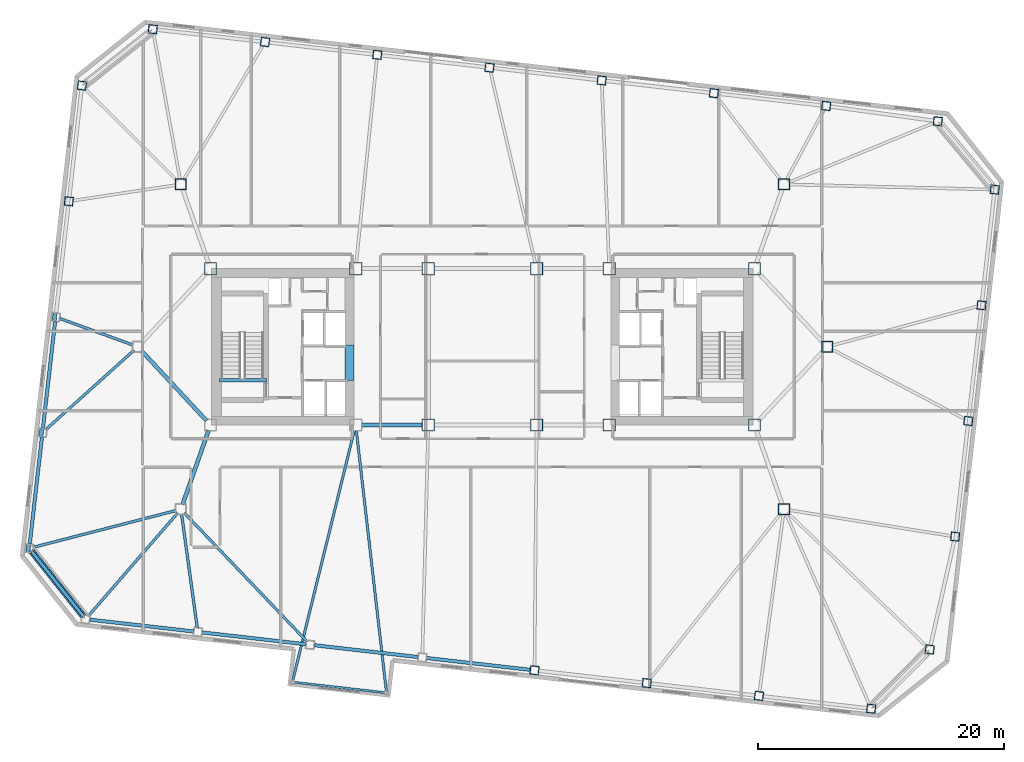
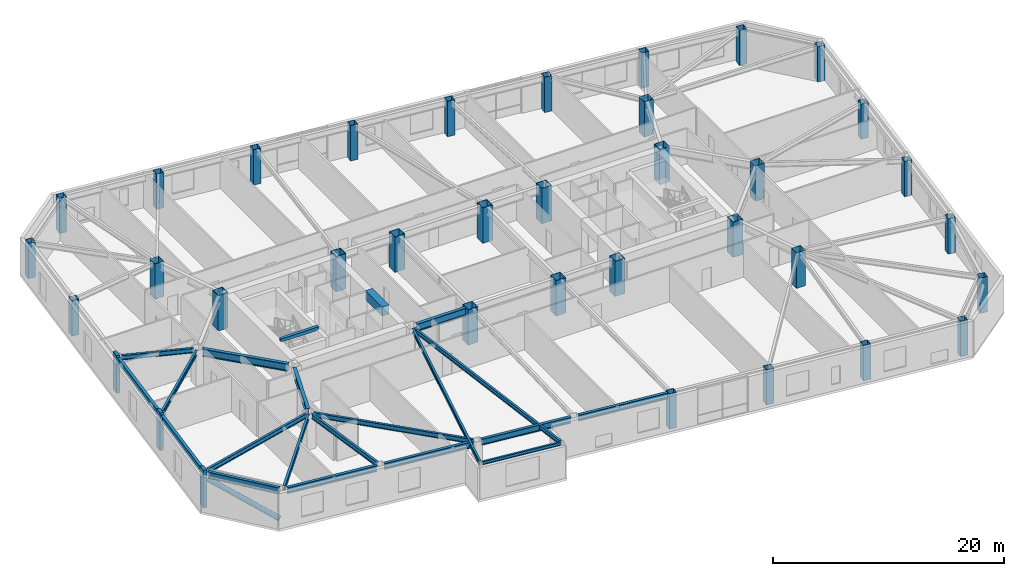
# One storey, part 2 of 19: 33 columns, 21 beams, 4 members.
"""IFC4 building model written with IfcOpenShell, lengths in metres."""

from ifc_helpers import new_model, si_unit, direction, frame, origin, origin_2d, place, context, subcontext, project, spatial, rectangle, hollow_rectangle, hollow_circle, i_section, extrude, material, material_profile, profile_set, type_object, element, save


model = new_model("IFC4")

# Units and contexts
model_context = context("Model", 3, precision=1e-05, world=origin(), true_north=direction((0.0, 1.0)))
body_context = subcontext(model_context, "Body", "Model", "MODEL_VIEW")
ifc_project = project(units=[si_unit("LENGTHUNIT", "METRE"), si_unit("AREAUNIT", "SQUARE_METRE"), si_unit("VOLUMEUNIT", "CUBIC_METRE"), si_unit("PLANEANGLEUNIT", "RADIAN"), si_unit("MASSUNIT", "GRAM", prefix="KILO")], contexts=[model_context])

# Site, building, storey
site_placement = place(None, origin())
site = spatial("IfcSite", under=ifc_project, at=site_placement, CompositionType="ELEMENT")
building_placement = place(site_placement, origin())
building = spatial("IfcBuilding", under=site, at=building_placement, Name="Tavrogorsk Clinical Tower", CompositionType="ELEMENT")
storey_placement = place(building_placement, frame((0.0, 0.0, 101.39990234375)))
storey = spatial("IfcBuildingStorey", under=building, at=storey_placement, Name="L22", CompositionType="ELEMENT", Elevation=101.39990234375)

# Columns
ifc_material_1 = material(Name="Structural steel S440", Category="steel")
ifc_material_profile_1 = material_profile(ifc_material_1, hollow_rectangle(XDim=1.0, YDim=1.0, WallThickness=0.044921875, at=origin_2d()), Name="BOX-1000x1000x45")
ifc_profile_set_1 = profile_set([ifc_material_profile_1], Name="Structural steel S440")
column_type_1 = type_object("IfcColumnType", Name="MegaCol_BOX1000", PredefinedType="COLUMN", material=ifc_profile_set_1)
for number, where, z_axis, x_axis, name in (
    (1, (-22.10009765625, 6.35009765625, 0.0), (0.0, 0.0, 1.0), (1.0, 0.0, 0.0), "L22 Mega Column MC-W2"),
    (2, (-10.300048828125, 6.35009765625, 0.0), (0.0, 0.0, 1.0), (1.0, 0.0, 0.0), "L22 Mega Column MC-W4"),
    (3, (10.300048828125, -6.35009765625, 0.0), (0.0, 0.0, 1.0), (1.0, 0.0, 0.0), "L22 Mega Column MC-E1"),
    (4, (10.300048828125, 6.35009765625, 0.0), (0.0, 0.0, 1.0), (1.0, 0.0, 0.0), "L22 Mega Column MC-E2"),
    (5, (22.10009765625, -6.35009765625, 0.0), (0.0, 0.0, 1.0), (1.0, 0.0, 0.0), "L22 Mega Column MC-E3"),
    (6, (22.10009765625, 6.35009765625, 0.0), (0.0, 0.0, 1.0), (1.0, 0.0, 0.0), "L22 Mega Column MC-E4"),
    (7, (-4.39990234375, -6.35009765625, 0.0), (0.0, 0.0, 1.0), (1.0, 0.0, 0.0), "L22 Mega Column MC-C1"),
    (8, (4.39990234375, -6.35009765625, 0.0), (0.0, 0.0, 1.0), (1.0, 0.0, 0.0), "L22 Mega Column MC-C2"),
    (9, (-4.39990234375, 6.35009765625, 0.0), (0.0, 0.0, 1.0), (1.0, 0.0, 0.0), "L22 Mega Column MC-C3"),
    (10, (4.39990234375, 6.35009765625, 0.0), (0.0, 0.0, 1.0), (1.0, 0.0, 0.0), "L22 Mega Column MC-C4"),
):
    element("IfcColumn", number, at=place(storey_placement, frame(where, z_axis=z_axis, x_axis=x_axis)), inside=storey, type_object=column_type_1, Name=name, PredefinedType="COLUMN", context=body_context, shape_type="SweptSolid", body=[
        extrude(hollow_rectangle(XDim=1.0, YDim=1.0, WallThickness=0.044921875, at=origin_2d()), origin(), (0.0, 0.0, 1.0), 3.739990234375),
    ])
ifc_material_2 = material(Name="Structural steel S440", Category="steel")
ifc_material_profile_2 = material_profile(ifc_material_2, hollow_rectangle(XDim=0.89990234375, YDim=0.89990234375, WallThickness=0.0400390625, at=origin_2d()), Name="BOX-900x900x40")
ifc_profile_set_2 = profile_set([ifc_material_profile_2], Name="Structural steel S440")
column_type_2 = type_object("IfcColumnType", Name="MegaCol_BOX900", PredefinedType="COLUMN", material=ifc_profile_set_2)
for number, where, z_axis, x_axis, name in (
    (11, (24.5, -13.199951171875, 0.0), (0.0, 0.0, 1.0), (1.0, 0.0, 0.0), "L22 Spine Pilotis Column MC-P2"),
    (12, (-24.5, 13.199951171875, 0.0), (0.0, 0.0, 1.0), (1.0, 0.0, 0.0), "L22 Spine Pilotis Column MC-P3"),
    (13, (24.5, 13.199951171875, 0.0), (0.0, 0.0, 1.0), (1.0, 0.0, 0.0), "L22 Spine Pilotis Column MC-P4"),
    (14, (28.0, 0.0, 0.0), (0.0, 0.0, 1.0), (1.0, 0.0, 0.0), "L22 Spine Pilotis Column MC-P6"),
):
    element("IfcColumn", number, at=place(storey_placement, frame(where, z_axis=z_axis, x_axis=x_axis)), inside=storey, type_object=column_type_2, Name=name, PredefinedType="COLUMN", context=body_context, shape_type="SweptSolid", body=[
        extrude(hollow_rectangle(XDim=0.89990234375, YDim=0.89990234375, WallThickness=0.0400390625, at=origin_2d()), origin(), (0.0, 0.0, 1.0), 3.739990234375),
    ])
ifc_material_3 = material(Name="Structural steel S440", Category="steel")
ifc_material_profile_3 = material_profile(ifc_material_3, hollow_rectangle(XDim=0.699951171875, YDim=0.699951171875, WallThickness=0.031982421875, at=origin_2d()), Name="BOX-700x700x32")
ifc_profile_set_3 = profile_set([ifc_material_profile_3], Name="Structural steel S440")
column_type_3 = type_object("IfcColumnType", Name="PerimCol_B2_BOX700", PredefinedType="COLUMN", material=ifc_profile_set_3)
for number, where, z_axis, x_axis, name in (
    (15, (4.228515625, -26.284423828125, 0.0), (0.0, 0.0, 1.0), (0.993571855677, -0.113203213768, 0.0), "L22 Perimeter Column S5"),
    (16, (13.3466796875, -27.3232421875, 0.0), (0.0, 0.0, 1.0), (0.993571855677, -0.113203213768, 0.0), "L22 Perimeter Column S6"),
    (17, (22.465087890625, -28.3623046875, 0.0), (0.0, 0.0, 1.0), (0.993571855677, -0.113203213768, 0.0), "L22 Perimeter Column S7"),
    (18, (31.5830078125, -29.40087890625, 0.0), (0.0, 0.0, 1.0), (0.993571855677, -0.113203213768, 0.0), "L22 Perimeter Column S8"),
    (19, (36.99658203125, 18.323486328125, 0.0), (0.0, 0.0, 1.0), (0.993571855677, -0.113203213768, 0.0), "L22 Perimeter Column N1"),
    (20, (27.92578125, 19.567626953125, 0.0), (0.0, 0.0, 1.0), (0.993571855677, -0.113203213768, 0.0), "L22 Perimeter Column N2"),
    (21, (18.8076171875, 20.606689453125, 0.0), (0.0, 0.0, 1.0), (0.993571855677, -0.113203213768, 0.0), "L22 Perimeter Column N3"),
    (22, (9.689697265625, 21.6455078125, 0.0), (0.0, 0.0, 1.0), (0.993571855677, -0.113203213768, 0.0), "L22 Perimeter Column N4"),
    (23, (0.5712890625, 22.684326171875, 0.0), (0.0, 0.0, 1.0), (0.993571855677, -0.113203213768, 0.0), "L22 Perimeter Column N5"),
    (24, (-8.546875, 23.723388671875, 0.0), (0.0, 0.0, 1.0), (0.993571855677, -0.113203213768, 0.0), "L22 Perimeter Column N6"),
    (25, (-17.6650390625, 24.76220703125, 0.0), (0.0, 0.0, 1.0), (0.993571855677, -0.113203213768, 0.0), "L22 Perimeter Column N7"),
    (26, (-26.783203125, 25.801025390625, 0.0), (0.0, 0.0, 1.0), (0.993571855677, -0.113203213768, 0.0), "L22 Perimeter Column N8"),
    (27, (36.335693359375, -24.591796875, 0.0), (0.0, 0.0, 1.0), (0.993571855677, -0.113203213768, 0.0), "L22 Perimeter Column E1"),
    (28, (38.4091796875, -15.423828125, 0.0), (0.0, 0.0, 1.0), (0.993571855677, -0.113203213768, 0.0), "L22 Perimeter Column E2"),
    (29, (39.47998046875, -6.024658203125, 0.0), (0.0, 0.0, 1.0), (0.993571855677, -0.113203213768, 0.0), "L22 Perimeter Column E3"),
    (30, (40.551025390625, 3.37451171875, 0.0), (0.0, 0.0, 1.0), (0.993571855677, -0.113203213768, 0.0), "L22 Perimeter Column E4"),
    (31, (41.621826171875, 12.773681640625, 0.0), (0.0, 0.0, 1.0), (0.993571855677, -0.113203213768, 0.0), "L22 Perimeter Column E5"),
    (32, (-32.538330078125, 21.22314453125, 0.0), (0.0, 0.0, 1.0), (0.993571855677, -0.113203213768, 0.0), "L22 Perimeter Column W1"),
    (33, (-33.609130859375, 11.823974609375, 0.0), (0.0, 0.0, 1.0), (0.993571855677, -0.113203213768, 0.0), "L22 Perimeter Column W2"),
):
    element("IfcColumn", number, at=place(storey_placement, frame(where, z_axis=z_axis, x_axis=x_axis)), inside=storey, type_object=column_type_3, Name=name, PredefinedType="COLUMN", context=body_context, shape_type="SweptSolid", body=[
        extrude(hollow_rectangle(XDim=0.699951171875, YDim=0.699951171875, WallThickness=0.031982421875, at=origin_2d()), origin(), (0.0, 0.0, 1.0), 3.739990234375),
    ])

# Beam
ifc_material_4 = material(Name="Concrete B80", Category="concrete")
ifc_material_profile_4 = material_profile(ifc_material_4, rectangle(XDim=0.699951171875, YDim=0.949951171875, at=origin_2d()), Name="RC-CB-700x950")
ifc_profile_set_4 = profile_set([ifc_material_profile_4], Name="Concrete B80")
beam_type_1 = type_object("IfcBeamType", Name="CouplingBeam_RC700x950", PredefinedType="LINTEL", material=ifc_profile_set_4)
beam_1_placement = place(storey_placement, frame((-10.800048828125, -2.75, 3.26513671875), z_axis=(0.0, 1.0, 0.0), x_axis=(-1.0, 0.0, 0.0)))
element("IfcBeam", 34, at=beam_1_placement, inside=storey, type_object=beam_type_1, Name="L22 Core West Coupling Beam", PredefinedType="LINTEL", context=body_context, shape_type="SweptSolid", body=[
    extrude(rectangle(XDim=0.699951171875, YDim=0.949951171875, at=origin_2d()), origin(), (0.0, 0.0, 1.0), 2.89990234375),
])

# Member
ifc_material_5 = material(Name="Structural steel S440", Category="steel")
ifc_material_profile_5 = material_profile(ifc_material_5, hollow_circle(Radius=0.25390625, WallThickness=0.02001953125, at=origin_2d()), Name="CHS-508x20")
ifc_profile_set_5 = profile_set([ifc_material_profile_5], Name="Structural steel S440")
member_type_1 = type_object("IfcMemberType", Name="ExoBrace_CHS508", PredefinedType="BRACE", material=ifc_profile_set_5)
member_placement = place(storey_placement, frame((-32.452880859375, -21.866455078125, 0.425048828125), z_axis=(-0.583326985798, 0.73336936718, 0.349140371371), x_axis=(-0.782619256143, -0.622500682662, 0.0)))
element("IfcMember", 35, at=member_placement, inside=storey, type_object=member_type_1, Name="L22 Corner Exoskeleton Brace W5-S1", PredefinedType="BRACE", context=body_context, shape_type="SweptSolid", body=[
    extrude(hollow_circle(Radius=0.25390625, WallThickness=0.02001953125, at=origin_2d()), origin(), (0.0, 0.0, 1.0), 7.1318359375),
])

# Beams
ifc_material_6 = material(Name="Structural steel S355", Category="steel")
ifc_material_profile_6 = material_profile(ifc_material_6, i_section(OverallWidth=0.199951171875, OverallDepth=0.449951171875, WebThickness=0.011474609375, FlangeThickness=0.01806640625, at=origin_2d()), Name="B-450x200x11.5x18")
ifc_profile_set_6 = profile_set([ifc_material_profile_6], Name="Structural steel S355")
beam_type_2 = type_object("IfcBeamType", Name="FloorBeam_B450", PredefinedType="BEAM", material=ifc_profile_set_6)
beam_2_placement = place(storey_placement, frame((-10.409912109375, -6.796630859375, 3.51513671875), z_axis=(-0.239115041261, -0.970991244576, 0.0), x_axis=(0.970991244576, -0.239115041261, 0.0)))
element("IfcBeam", 36, at=beam_2_placement, inside=storey, type_object=beam_type_2, Name="L22 Day-Room Cantilever Beam DRB-03-L", PredefinedType="BEAM", context=body_context, shape_type="SweptSolid", body=[
    extrude(i_section(OverallWidth=0.199951171875, OverallDepth=0.449951171875, WebThickness=0.011474609375, FlangeThickness=0.01806640625, at=origin_2d()), origin(), (0.0, 0.0, 1.0), 20.91748046875),
])
beam_3_placement = place(storey_placement, frame((-10.247314453125, -6.806884765625, 3.51513671875), z_axis=(0.114354048971, -0.993440059331, 0.0), x_axis=(0.993440059331, 0.114354048971, 0.0)))
element("IfcBeam", 37, at=beam_3_placement, inside=storey, type_object=beam_type_2, Name="L22 Day-Room Cantilever Beam DRB-03-R", PredefinedType="BEAM", context=body_context, shape_type="SweptSolid", body=[
    extrude(i_section(OverallWidth=0.199951171875, OverallDepth=0.449951171875, WebThickness=0.011474609375, FlangeThickness=0.01806640625, at=origin_2d()), origin(), (0.0, 0.0, 1.0), 21.30908203125),
])
ifc_material_7 = material(Name="Structural steel S355", Category="steel")
ifc_material_profile_7 = material_profile(ifc_material_7, i_section(OverallWidth=0.219970703125, OverallDepth=0.5, WebThickness=0.012939453125, FlangeThickness=0.02001953125, at=origin_2d()), Name="B-500x220x13x20")
ifc_profile_set_7 = profile_set([ifc_material_profile_7], Name="Structural steel S355")
beam_type_3 = type_object("IfcBeamType", Name="FloorBeam_B500", PredefinedType="BEAM", material=ifc_profile_set_7)
beam_4_placement = place(storey_placement, frame((-24.7685546875, -13.509765625, 3.489990234375), z_axis=(-0.655213926096, -0.755443387058, 0.0), x_axis=(0.755443387058, -0.655213926096, 0.0)))
element("IfcBeam", 38, at=beam_4_placement, inside=storey, type_object=beam_type_3, Name="L22 Radial Floor Beam S1", PredefinedType="BEAM", context=body_context, shape_type="SweptSolid", body=[
    extrude(i_section(OverallWidth=0.219970703125, OverallDepth=0.5, WebThickness=0.012939453125, FlangeThickness=0.02001953125, at=origin_2d()), origin(), (0.0, 0.0, 1.0), 11.05126953125),
])
beam_5_placement = place(storey_placement, frame((-24.444091796875, -13.606201171875, 3.489990234375), z_axis=(0.136572505989, -0.990630077581, 0.0), x_axis=(0.990630077581, 0.136572505989, 0.0)))
element("IfcBeam", 39, at=beam_5_placement, inside=storey, type_object=beam_type_3, Name="L22 Radial Floor Beam S2", PredefinedType="BEAM", context=body_context, shape_type="SweptSolid", body=[
    extrude(i_section(OverallWidth=0.219970703125, OverallDepth=0.5, WebThickness=0.012939453125, FlangeThickness=0.02001953125, at=origin_2d()), origin(), (0.0, 0.0, 1.0), 9.2939453125),
])
beam_6_placement = place(storey_placement, frame((-24.217041015625, -13.496826171875, 3.489990234375), z_axis=(0.689995410805, -0.723813741972, 0.0), x_axis=(0.723813741972, 0.689995410805, 0.0)))
element("IfcBeam", 40, at=beam_6_placement, inside=storey, type_object=beam_type_3, Name="L22 Radial Floor Beam S3", PredefinedType="BEAM", context=body_context, shape_type="SweptSolid", body=[
    extrude(i_section(OverallWidth=0.219970703125, OverallDepth=0.5, WebThickness=0.012939453125, FlangeThickness=0.02001953125, at=origin_2d()), origin(), (0.0, 0.0, 1.0), 14.4384765625),
])
beam_7_placement = place(storey_placement, frame((-28.385498046875, 0.139892578125, 3.489990234375), z_axis=(-0.939993443432, 0.341192506225, 0.0), x_axis=(-0.341192506225, -0.939993443432, 0.0)))
element("IfcBeam", 41, at=beam_7_placement, inside=storey, type_object=beam_type_3, Name="L22 Radial Floor Beam W3", PredefinedType="BEAM", context=body_context, shape_type="SweptSolid", body=[
    extrude(i_section(OverallWidth=0.219970703125, OverallDepth=0.5, WebThickness=0.012939453125, FlangeThickness=0.02001953125, at=origin_2d()), origin(), (0.0, 0.0, 1.0), 6.33837890625),
])
beam_8_placement = place(storey_placement, frame((-28.3046875, -0.274169921875, 3.489990234375), z_axis=(-0.743369550828, -0.668880939257, 0.0), x_axis=(0.668880939257, -0.743369550828, 0.0)))
element("IfcBeam", 42, at=beam_8_placement, inside=storey, type_object=beam_type_3, Name="L22 Radial Floor Beam W4", PredefinedType="BEAM", context=body_context, shape_type="SweptSolid", body=[
    extrude(i_section(OverallWidth=0.219970703125, OverallDepth=0.5, WebThickness=0.012939453125, FlangeThickness=0.02001953125, at=origin_2d()), origin(), (0.0, 0.0, 1.0), 9.658935546875),
])
beam_9_placement = place(storey_placement, frame((-24.89697265625, -13.30224609375, 3.489990234375), z_axis=(-0.968393085087, -0.24942901346, 0.0), x_axis=(0.24942901346, -0.968393085087, 0.0)))
element("IfcBeam", 43, at=beam_9_placement, inside=storey, type_object=beam_type_3, Name="L22 Radial Floor Beam W5", PredefinedType="BEAM", context=body_context, shape_type="SweptSolid", body=[
    extrude(i_section(OverallWidth=0.219970703125, OverallDepth=0.5, WebThickness=0.012939453125, FlangeThickness=0.02001953125, at=origin_2d()), origin(), (0.0, 0.0, 1.0), 11.9560546875),
])

# Members
ifc_material_8 = material(Name="Precast concrete B45 with limestone cladding", Category="masonry")
ifc_material_profile_8 = material_profile(ifc_material_8, rectangle(XDim=0.320068359375, YDim=0.719970703125, at=origin_2d()), Name="LIMESTONE-FIN-320x720")
ifc_profile_set_8 = profile_set([ifc_material_profile_8], Name="Precast concrete B45 with limestone cladding")
member_type_2 = type_object("IfcMemberType", Name="LimestonePleatFin_320x720", PredefinedType="USERDEFINED", material=ifc_profile_set_8)
for number, where, z_axis, x_axis, name in (
    (44, (-34.759521484375, 2.433837890625, 0.0), (0.0, 0.0, 1.0), (0.993571855677, -0.113203213768, 0.0), "L22 W Pleated Stone Fin 2"),
    (45, (-35.83056640625, -6.96533203125, 0.0), (0.0, 0.0, 1.0), (0.993571855677, -0.113203213768, 0.0), "L22 W Pleated Stone Fin 3"),
    (46, (-36.9013671875, -16.364501953125, 0.0), (0.0, 0.0, 1.0), (0.993571855677, -0.113203213768, 0.0), "L22 W Pleated Stone Fin 4"),
):
    element("IfcMember", number, at=place(storey_placement, frame(where, z_axis=z_axis, x_axis=x_axis)), inside=storey, type_object=member_type_2, Name=name, ObjectType="FIN", PredefinedType="USERDEFINED", context=body_context, shape_type="SweptSolid", body=[
        extrude(rectangle(XDim=0.320068359375, YDim=0.719970703125, at=origin_2d()), origin(), (0.0, 0.0, 1.0), 4.0),
    ])

# Beams
ifc_material_9 = material(Name="Structural steel S390", Category="steel")
ifc_material_profile_9 = material_profile(ifc_material_9, i_section(OverallWidth=0.320068359375, OverallDepth=0.800048828125, WebThickness=0.02001953125, FlangeThickness=0.033935546875, at=origin_2d()), Name="B-800x320x20x34")
ifc_profile_set_9 = profile_set([ifc_material_profile_9], Name="Structural steel S390")
beam_type_4 = type_object("IfcBeamType", Name="PrimaryGirder_B800", PredefinedType="USERDEFINED", material=ifc_profile_set_9)
beam_10_placement = place(storey_placement, frame((-9.840087890625, -6.35009765625, 3.340087890625), z_axis=(1.0, 0.0, 0.0), x_axis=(0.0, 1.0, 0.0)))
element("IfcBeam", 47, at=beam_10_placement, inside=storey, type_object=beam_type_4, Name="L22 Primary Spine Girder MG-01", ObjectType="GIRDER", PredefinedType="USERDEFINED", context=body_context, shape_type="SweptSolid", body=[
    extrude(i_section(OverallWidth=0.320068359375, OverallDepth=0.800048828125, WebThickness=0.02001953125, FlangeThickness=0.033935546875, at=origin_2d()), origin(), (0.0, 0.0, 1.0), 4.97998046875),
])
beam_11_placement = place(storey_placement, frame((-24.364501953125, -12.81298828125, 3.340087890625), z_axis=(0.330660234815, 0.943749865755, 0.0), x_axis=(-0.943749865755, 0.330660234815, 0.0)))
element("IfcBeam", 48, at=beam_11_placement, inside=storey, type_object=beam_type_4, Name="L22 Spine Link Girder OPG-1", ObjectType="GIRDER", PredefinedType="USERDEFINED", context=body_context, shape_type="SweptSolid", body=[
    extrude(i_section(OverallWidth=0.320068359375, OverallDepth=0.800048828125, WebThickness=0.02001953125, FlangeThickness=0.033935546875, at=origin_2d()), origin(), (0.0, 0.0, 1.0), 6.38818359375),
])
beam_12_placement = place(storey_placement, frame((-27.720947265625, -0.30029296875, 3.340087890625), z_axis=(0.680675630035, -0.732584934787, 0.0), x_axis=(0.732584934787, 0.680675630035, 0.0)))
element("IfcBeam", 49, at=beam_12_placement, inside=storey, type_object=beam_type_4, Name="L22 Spine Link Girder OPG-5", ObjectType="GIRDER", PredefinedType="USERDEFINED", context=body_context, shape_type="SweptSolid", body=[
    extrude(i_section(OverallWidth=0.320068359375, OverallDepth=0.800048828125, WebThickness=0.02001953125, FlangeThickness=0.033935546875, at=origin_2d()), origin(), (0.0, 0.0, 1.0), 7.7978515625),
])
ifc_material_10 = material(Name="Structural steel S355", Category="steel")
ifc_material_profile_10 = material_profile(ifc_material_10, i_section(OverallWidth=0.175048828125, OverallDepth=0.35009765625, WebThickness=0.009521484375, FlangeThickness=0.013916015625, at=origin_2d()), Name="B-350x175x9.5x14")
ifc_profile_set_10 = profile_set([ifc_material_profile_10], Name="Structural steel S355")
beam_type_5 = type_object("IfcBeamType", Name="SecondaryJoist_B350", PredefinedType="JOIST", material=ifc_profile_set_10)
beam_13_placement = place(storey_placement, frame((-15.32568359375, -27.257080078125, 3.565185546875), z_axis=(0.993571749414, -0.113204146422, 0.0), x_axis=(0.113204146422, 0.993571749414, 0.0)))
element("IfcBeam", 50, at=beam_13_placement, inside=storey, type_object=beam_type_5, Name="L22 Day-Room Front Edge Beam DRB-03", PredefinedType="JOIST", context=body_context, shape_type="SweptSolid", body=[
    extrude(i_section(OverallWidth=0.175048828125, OverallDepth=0.35009765625, WebThickness=0.009521484375, FlangeThickness=0.013916015625, at=origin_2d()), origin(), (0.0, 0.0, 1.0), 7.459716796875),
])
ifc_material_11 = material(Name="Structural steel S390", Category="steel")
ifc_material_profile_11 = material_profile(ifc_material_11, i_section(OverallWidth=0.280029296875, OverallDepth=0.64990234375, WebThickness=0.01611328125, FlangeThickness=0.02490234375, at=origin_2d()), Name="B-650x280x16x25")
ifc_profile_set_11 = profile_set([ifc_material_profile_11], Name="Structural steel S390")
beam_type_6 = type_object("IfcBeamType", Name="SpandrelBeam_B650", PredefinedType="SPANDREL", material=ifc_profile_set_11)
beam_14_placement = place(storey_placement, frame((-31.88818359375, -22.16943359375, 3.4150390625), z_axis=(0.99357232562, -0.113199089054, 0.0), x_axis=(0.113199089054, 0.99357232562, 0.0)))
element("IfcBeam", 51, at=beam_14_placement, inside=storey, type_object=beam_type_6, Name="L22 Perimeter Spandrel S1-S2", PredefinedType="SPANDREL", context=body_context, shape_type="SweptSolid", body=[
    extrude(i_section(OverallWidth=0.280029296875, OverallDepth=0.64990234375, WebThickness=0.01611328125, FlangeThickness=0.02490234375, at=origin_2d()), origin(), (0.0, 0.0, 1.0), 8.4609375),
])
beam_15_placement = place(storey_placement, frame((-22.770263671875, -23.208251953125, 3.4150390625), z_axis=(0.99357306506, -0.113192598642, 0.0), x_axis=(0.113192598642, 0.99357306506, 0.0)))
element("IfcBeam", 52, at=beam_15_placement, inside=storey, type_object=beam_type_6, Name="L22 Perimeter Spandrel S2-S3", PredefinedType="SPANDREL", context=body_context, shape_type="SweptSolid", body=[
    extrude(i_section(OverallWidth=0.280029296875, OverallDepth=0.64990234375, WebThickness=0.01611328125, FlangeThickness=0.02490234375, at=origin_2d()), origin(), (0.0, 0.0, 1.0), 8.46142578125),
])
for number, where, z_axis, x_axis, name in (
    (53, (-13.652099609375, -24.2470703125, 3.4150390625), (0.993569449752, -0.113224328304, 0.0), (0.113224328304, 0.993569449752, 0.0), "L22 Perimeter Spandrel S3-S4"),
    (54, (-4.533935546875, -25.2861328125, 3.4150390625), (0.993572695356, -0.113195843756, 0.0), (0.113195843756, 0.993572695356, 0.0), "L22 Perimeter Spandrel S4-S5"),
):
    element("IfcBeam", number, at=place(storey_placement, frame(where, z_axis=z_axis, x_axis=x_axis)), inside=storey, type_object=beam_type_6, Name=name, PredefinedType="SPANDREL", context=body_context, shape_type="SweptSolid", body=[
        extrude(i_section(OverallWidth=0.280029296875, OverallDepth=0.64990234375, WebThickness=0.01611328125, FlangeThickness=0.02490234375, at=origin_2d()), origin(), (0.0, 0.0, 1.0), 8.461181640625),
    ])
for number, where, z_axis, x_axis, name in (
    (55, (-34.720703125, 2.069091796875, 3.4150390625), (-0.113192226434, -0.993573107464, 0.0), (0.993573107464, -0.113192226434, 0.0), "L22 Perimeter Spandrel W3-W4"),
    (56, (-35.79150390625, -7.330078125, 3.4150390625), (-0.113192226434, -0.993573107464, 0.0), (0.993573107464, -0.113192226434, 0.0), "L22 Perimeter Spandrel W4-W5"),
):
    element("IfcBeam", number, at=place(storey_placement, frame(where, z_axis=z_axis, x_axis=x_axis)), inside=storey, type_object=beam_type_6, Name=name, PredefinedType="SPANDREL", context=body_context, shape_type="SweptSolid", body=[
        extrude(i_section(OverallWidth=0.280029296875, OverallDepth=0.64990234375, WebThickness=0.01611328125, FlangeThickness=0.02490234375, at=origin_2d()), origin(), (0.0, 0.0, 1.0), 8.743896484375),
    ])
beam_16_placement = place(storey_placement, frame((-36.59912109375, -16.65380859375, 3.4150390625), z_axis=(0.622530733212, -0.782595352788, 0.0), x_axis=(0.782595352788, 0.622530733212, 0.0)))
element("IfcBeam", 57, at=beam_16_placement, inside=storey, type_object=beam_type_6, Name="L22 Perimeter Spandrel W5-S1", PredefinedType="SPANDREL", context=body_context, shape_type="SweptSolid", body=[
    extrude(i_section(OverallWidth=0.280029296875, OverallDepth=0.64990234375, WebThickness=0.01611328125, FlangeThickness=0.02490234375, at=origin_2d()), origin(), (0.0, 0.0, 1.0), 6.637939453125),
])
ifc_material_12 = material(Name="Concrete B60", Category="concrete")
ifc_material_profile_12 = material_profile(ifc_material_12, rectangle(XDim=0.300048828125, YDim=0.35009765625, at=origin_2d()), Name="RC-SHB-300x350")
ifc_profile_set_12 = profile_set([ifc_material_profile_12], Name="Concrete B60")
beam_type_7 = type_object("IfcBeamType", Name="StairHeaderBeam_RC300x350", PredefinedType="BEAM", material=ifc_profile_set_12)
beam_17_placement = place(storey_placement, frame((-21.35009765625, -2.719970703125, 3.8251953125), z_axis=(1.0, 0.0, 0.0), x_axis=(0.0, 1.0, 0.0)))
element("IfcBeam", 58, at=beam_17_placement, inside=storey, type_object=beam_type_7, Name="L23 ST-W Landing Header Beam", PredefinedType="BEAM", context=body_context, shape_type="SweptSolid", body=[
    extrude(rectangle(XDim=0.300048828125, YDim=0.35009765625, at=origin_2d()), origin(), (0.0, 0.0, 1.0), 3.800048828125),
])

save(model, "model.ifc")
